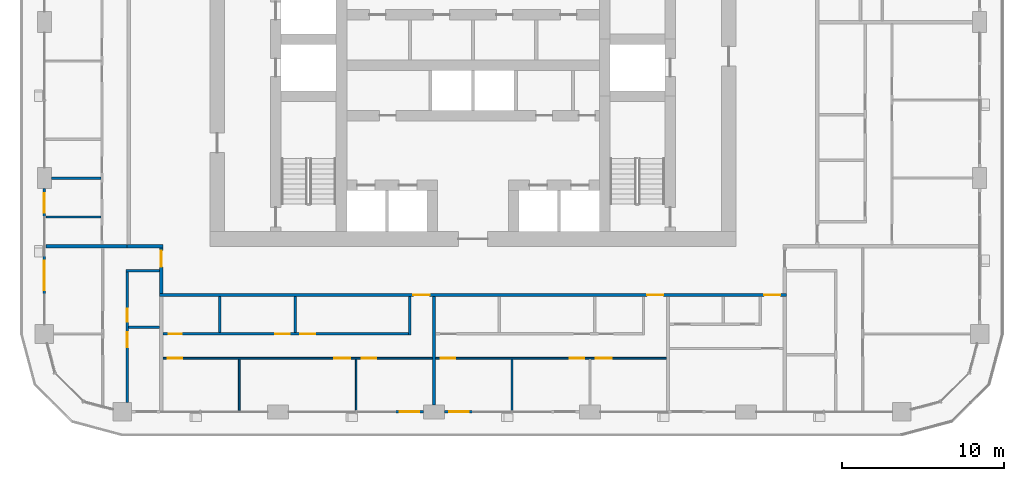
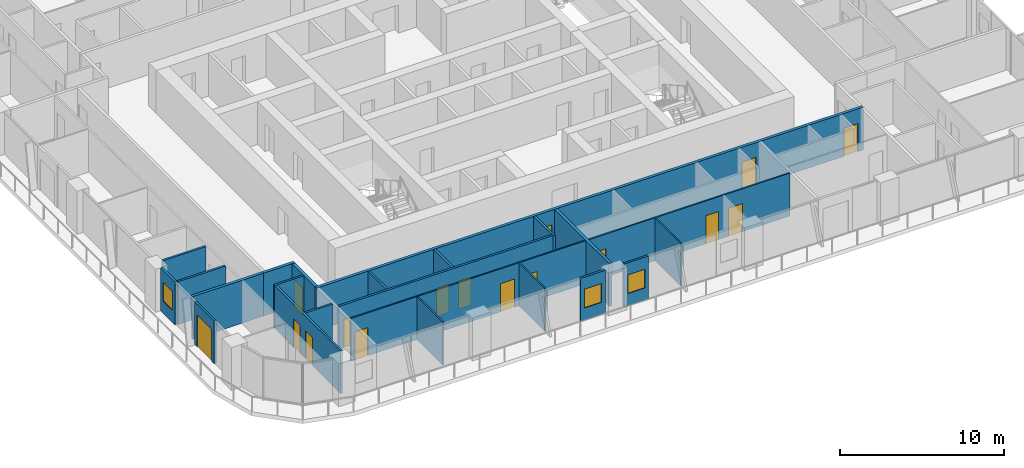
# One storey, part 9 of 21: 23 walls, 16 doors, 3 windows, 19 openings.
"""IFC4 building model written with IfcOpenShell, lengths in metres."""

from ifc_helpers import new_model, si_unit, direction, frame, frame_2d, origin, place, context, subcontext, project, spatial, rectangle, extrude, material, layer, layer_set, type_object, element, fill, save


model = new_model("IFC4")

# Units and contexts
model_context = context("Model", 3, precision=1e-05, world=origin(), true_north=direction((0.0, 1.0)))
body_context = subcontext(model_context, "Body", "Model", "MODEL_VIEW")
ifc_project = project(units=[si_unit("LENGTHUNIT", "METRE"), si_unit("AREAUNIT", "SQUARE_METRE"), si_unit("VOLUMEUNIT", "CUBIC_METRE"), si_unit("PLANEANGLEUNIT", "RADIAN"), si_unit("MASSUNIT", "GRAM", prefix="KILO")], contexts=[model_context])

# Site, building, storey
site_placement = place(None, origin())
site = spatial("IfcSite", under=ifc_project, at=site_placement, CompositionType="ELEMENT")
building_placement = place(site_placement, origin())
building = spatial("IfcBuilding", under=site, at=building_placement, Name="Madar Terraces", CompositionType="ELEMENT")
storey_placement = place(building_placement, frame((0.0, 0.0, 92.699951171875)))
storey = spatial("IfcBuildingStorey", under=building, at=storey_placement, Name="L23", CompositionType="ELEMENT", Elevation=92.699951171875)

# Wall, opening, window
ifc_material_1 = material(Name="Aluminium composite panel, black, over insulated backing", Category="aluminium")
ifc_layer_1 = layer(ifc_material_1, 0.14990234375)
ifc_layer_set_1 = layer_set([ifc_layer_1], Name="Facade bay panel 150")
wall_type_1 = type_object("IfcWallType", Name="Facade bay panel 150", PredefinedType="SOLIDWALL", material=ifc_layer_set_1)
wall_1_placement = place(storey_placement, frame((26.39990234375, 4.800048828125, 0.0), z_axis=(0.0, 0.0, 1.0), x_axis=(1.0, 0.0, 0.0)))
wall_1 = element("IfcWall", 1, at=wall_1_placement, inside=storey, type_object=wall_type_1, Name="Facade bay panel", PredefinedType="SOLIDWALL", context=body_context, shape_type="SweptSolid", body=[
    extrude(rectangle(XDim=1.75, YDim=0.14990234375, at=frame_2d((0.875, 0.0))), origin(), (0.0, 0.0, 1.0), 3.199951171875),
])
opening_1_placement = place(wall_1_placement, frame((0.27490234375, 0.0, 0.89990234375)))
opening_1 = element("IfcOpeningElement", 2, at=opening_1_placement, cuts=wall_1, Name="Opening W1", PredefinedType="OPENING", context=body_context, shape_type="SweptSolid", body=[
    extrude(rectangle(XDim=1.199951171875, YDim=1.39990234375, at=frame_2d((0.60009765625, 0.699951171875))), frame((0.0, 0.0849609375, 0.0), z_axis=(0.0, -1.0, 0.0), x_axis=(1.0, 0.0, 0.0)), (0.0, 0.0, 1.0), 0.169921875),
])
ifc_material_2 = material(Name="Glass, clear, with black aluminium frame", Category="aluminium")
window_type = type_object("IfcWindowType", Name="Vent window 1200 x 1400", PartitioningType="SINGLE_PANEL", PredefinedType="WINDOW", material=ifc_material_2)
window_1_placement = place(opening_1_placement, origin())
window_1 = element("IfcWindow", 3, at=window_1_placement, inside=storey, type_object=window_type, Name="Operable vent window", OverallHeight=1.39990234375, OverallWidth=1.199951171875, PartitioningType="SINGLE_PANEL", PredefinedType="WINDOW", context=body_context, shape_type="SweptSolid", body=[
    extrude(rectangle(XDim=1.199951171875, YDim=1.39990234375, at=frame_2d((0.60009765625, 0.699951171875))), frame((0.0, 0.030029296875, 0.0), z_axis=(0.0, -1.0, 0.0), x_axis=(1.0, 0.0, 0.0)), (0.0, 0.0, 1.0), 0.06005859375),
])
fill(opening_1, window_1)

wall_2_placement = place(storey_placement, frame((29.449951171875, 4.800048828125, 0.0), z_axis=(0.0, 0.0, 1.0), x_axis=(1.0, 0.0, 0.0)))
wall_2 = element("IfcWall", 4, at=wall_2_placement, inside=storey, type_object=wall_type_1, Name="Facade bay panel", PredefinedType="SOLIDWALL", context=body_context, shape_type="SweptSolid", body=[
    extrude(rectangle(XDim=1.75, YDim=0.14990234375, at=frame_2d((0.875, 0.0))), origin(), (0.0, 0.0, 1.0), 3.199951171875),
])
opening_2_placement = place(wall_2_placement, frame((0.27490234375, 0.0, 0.89990234375)))
opening_2 = element("IfcOpeningElement", 5, at=opening_2_placement, cuts=wall_2, Name="Opening W1", PredefinedType="OPENING", context=body_context, shape_type="SweptSolid", body=[
    extrude(rectangle(XDim=1.199951171875, YDim=1.39990234375, at=frame_2d((0.60009765625, 0.699951171875))), frame((0.0, 0.0849609375, 0.0), z_axis=(0.0, -1.0, 0.0), x_axis=(1.0, 0.0, 0.0)), (0.0, 0.0, 1.0), 0.169921875),
])
window_2_placement = place(opening_2_placement, origin())
window_2 = element("IfcWindow", 6, at=window_2_placement, inside=storey, type_object=window_type, Name="Operable vent window", OverallHeight=1.39990234375, OverallWidth=1.199951171875, PartitioningType="SINGLE_PANEL", PredefinedType="WINDOW", context=body_context, shape_type="SweptSolid", body=[
    extrude(rectangle(XDim=1.199951171875, YDim=1.39990234375, at=frame_2d((0.60009765625, 0.699951171875))), frame((0.0, 0.030029296875, 0.0), z_axis=(0.0, -1.0, 0.0), x_axis=(1.0, 0.0, 0.0)), (0.0, 0.0, 1.0), 0.06005859375),
])
fill(opening_2, window_2)

wall_3_placement = place(storey_placement, frame((4.800048828125, 18.550048828125, 0.0), z_axis=(0.0, 0.0, 1.0), x_axis=(0.0, -1.0, 0.0)))
wall_3 = element("IfcWall", 7, at=wall_3_placement, inside=storey, type_object=wall_type_1, Name="Facade bay panel", PredefinedType="SOLIDWALL", context=body_context, shape_type="SweptSolid", body=[
    extrude(rectangle(XDim=1.75, YDim=0.14990234375, at=frame_2d((0.875, 0.0))), origin(), (0.0, 0.0, 1.0), 3.199951171875),
])
opening_3_placement = place(wall_3_placement, frame((0.27490234375, 0.0, 0.89990234375)))
opening_3 = element("IfcOpeningElement", 8, at=opening_3_placement, cuts=wall_3, Name="Opening W1", PredefinedType="OPENING", context=body_context, shape_type="SweptSolid", body=[
    extrude(rectangle(XDim=1.199951171875, YDim=1.39990234375, at=frame_2d((0.60009765625, 0.699951171875))), frame((0.0, 0.0849609375, 0.0), z_axis=(0.0, -1.0, 0.0), x_axis=(1.0, 0.0, 0.0)), (0.0, 0.0, 1.0), 0.169921875),
])
window_3_placement = place(opening_3_placement, origin())
window_3 = element("IfcWindow", 9, at=window_3_placement, inside=storey, type_object=window_type, Name="Operable vent window", OverallHeight=1.39990234375, OverallWidth=1.199951171875, PartitioningType="SINGLE_PANEL", PredefinedType="WINDOW", context=body_context, shape_type="SweptSolid", body=[
    extrude(rectangle(XDim=1.199951171875, YDim=1.39990234375, at=frame_2d((0.60009765625, 0.699951171875))), frame((0.0, 0.030029296875, 0.0), z_axis=(0.0, -1.0, 0.0), x_axis=(1.0, 0.0, 0.0)), (0.0, 0.0, 1.0), 0.06005859375),
])
fill(opening_3, window_3)

# Wall, opening, door
wall_4_placement = place(storey_placement, frame((4.800048828125, 14.39990234375, 0.0), z_axis=(0.0, 0.0, 1.0), x_axis=(0.0, -1.0, 0.0)))
wall_4 = element("IfcWall", 10, at=wall_4_placement, inside=storey, type_object=wall_type_1, Name="Facade bay panel", PredefinedType="SOLIDWALL", context=body_context, shape_type="SweptSolid", body=[
    extrude(rectangle(XDim=2.39990234375, YDim=0.14990234375, at=frame_2d((1.199951171875, 0.0))), origin(), (0.0, 0.0, 1.0), 3.199951171875),
])
opening_4_placement = place(wall_4_placement, frame((0.300048828125, 0.0, 0.0)))
opening_4 = element("IfcOpeningElement", 11, at=opening_4_placement, cuts=wall_4, Name="Opening ED1", PredefinedType="OPENING", context=body_context, shape_type="SweptSolid", body=[
    extrude(rectangle(XDim=1.800048828125, YDim=2.39990234375, at=frame_2d((0.89990234375, 1.199951171875))), frame((0.0, 0.0849609375, 0.0), z_axis=(0.0, -1.0, 0.0), x_axis=(1.0, 0.0, 0.0)), (0.0, 0.0, 1.0), 0.169921875),
])
ifc_material_3 = material(Name="Glass, clear, with black aluminium frame", Category="aluminium")
door_type_1 = type_object("IfcDoorType", Name="Balcony and terrace sliding door 1800 x 2400", OperationType="SLIDING_TO_LEFT", PredefinedType="DOOR", material=ifc_material_3)
door_1_placement = place(opening_4_placement, origin())
door_1 = element("IfcDoor", 12, at=door_1_placement, inside=storey, type_object=door_type_1, Name="Balcony door", OperationType="SLIDING_TO_RIGHT", OverallHeight=2.39990234375, OverallWidth=1.800048828125, PredefinedType="DOOR", context=body_context, shape_type="SweptSolid", body=[
    extrude(rectangle(XDim=1.800048828125, YDim=2.39990234375, at=frame_2d((0.89990234375, 1.199951171875))), frame((0.0, 0.02490234375, 0.0), z_axis=(0.0, -1.0, 0.0), x_axis=(1.0, 0.0, 0.0)), (0.0, 0.0, 1.0), 0.050048828125),
])
fill(opening_4, door_1)

# Walls
ifc_material_4 = material(Name="Gypsum board on steel studs", Category="steel")
ifc_layer_2 = layer(ifc_material_4, 0.10009765625)
ifc_layer_set_2 = layer_set([ifc_layer_2], Name="Flat partition 100")
wall_type_2 = type_object("IfcWallType", Name="Flat partition 100", PredefinedType="PARTITIONING", material=ifc_layer_set_2)
for number, where, z_axis, x_axis, name in (
    (13, (24.0, 8.050048828125, 0.0), (0.0, 0.0, 1.0), (0.0, -1.0, 0.0), "Flat partition 100"),
    (14, (16.800048828125, 8.050048828125, 0.0), (0.0, 0.0, 1.0), (0.0, -1.0, 0.0), "Flat partition 100"),
):
    element("IfcWall", number, at=place(storey_placement, frame(where, z_axis=z_axis, x_axis=x_axis)), inside=storey, type_object=wall_type_2, Name=name, PredefinedType="PARTITIONING", context=body_context, shape_type="SweptSolid", body=[
        extrude(rectangle(XDim=3.150146484375, YDim=0.10009765625, at=frame_2d((1.5751953125, 0.0))), origin(), (0.0, 0.0, 1.0), 3.199951171875),
    ])

# Wall, openings, doors
wall_5_placement = place(storey_placement, frame((28.699951171875, 8.10009765625, 0.0), z_axis=(0.0, 0.0, 1.0), x_axis=(-1.0, 0.0, 0.0)))
wall_5 = element("IfcWall", 15, at=wall_5_placement, inside=storey, type_object=wall_type_2, Name="Flat partition 100", PredefinedType="PARTITIONING", context=body_context, shape_type="SweptSolid", body=[
    extrude(rectangle(XDim=16.599853515625, YDim=0.10009765625, at=frame_2d((8.2998046875, 0.0))), origin(), (0.0, 0.0, 1.0), 3.199951171875),
])
opening_5_placement = place(wall_5_placement, frame((3.449951171875, 0.0, 0.0)))
opening_5 = element("IfcOpeningElement", 16, at=opening_5_placement, cuts=wall_5, Name="Opening D2", PredefinedType="OPENING", context=body_context, shape_type="SweptSolid", body=[
    extrude(rectangle(XDim=0.89990234375, YDim=2.10009765625, at=frame_2d((0.449951171875, 1.050048828125))), frame((0.0, 0.06005859375, 0.0), z_axis=(0.0, -1.0, 0.0), x_axis=(1.0, 0.0, 0.0)), (0.0, 0.0, 1.0), 0.1201171875),
])
opening_6_placement = place(wall_5_placement, frame((5.050048828125, 0.0, 0.0)))
opening_6 = element("IfcOpeningElement", 17, at=opening_6_placement, cuts=wall_5, Name="Opening D3", PredefinedType="OPENING", context=body_context, shape_type="SweptSolid", body=[
    extrude(rectangle(XDim=1.0, YDim=2.10009765625, at=frame_2d((0.5, 1.050048828125))), frame((0.0, 0.06005859375, 0.0), z_axis=(0.0, -1.0, 0.0), x_axis=(1.0, 0.0, 0.0)), (0.0, 0.0, 1.0), 0.1201171875),
])
opening_7_placement = place(wall_5_placement, frame((15.39990234375, 0.0, 0.0)))
opening_7 = element("IfcOpeningElement", 18, at=opening_7_placement, cuts=wall_5, Name="Opening D2", PredefinedType="OPENING", context=body_context, shape_type="SweptSolid", body=[
    extrude(rectangle(XDim=0.89990234375, YDim=2.10009765625, at=frame_2d((0.449951171875, 1.050048828125))), frame((0.0, 0.06005859375, 0.0), z_axis=(0.0, -1.0, 0.0), x_axis=(1.0, 0.0, 0.0)), (0.0, 0.0, 1.0), 0.1201171875),
])
ifc_material_5 = material(Name="Timber door leaf", Category="wood")
door_type_2 = type_object("IfcDoorType", Name="Flat living room door 1000", OperationType="NOTDEFINED", PredefinedType="DOOR", material=ifc_material_5)
door_2_placement = place(opening_6_placement, origin())
door_2 = element("IfcDoor", 19, at=door_2_placement, inside=storey, type_object=door_type_2, Name="Flat living room door 1000", OperationType="SINGLE_SWING_LEFT", OverallHeight=2.10009765625, OverallWidth=1.0, PredefinedType="DOOR", context=body_context, shape_type="SweptSolid", body=[
    extrude(rectangle(XDim=1.0, YDim=2.10009765625, at=frame_2d((0.5, 1.050048828125))), frame((0.0, 0.02490234375, 0.0), z_axis=(0.0, -1.0, 0.0), x_axis=(1.0, 0.0, 0.0)), (0.0, 0.0, 1.0), 0.050048828125),
])
fill(opening_6, door_2)
ifc_material_6 = material(Name="Timber door leaf", Category="wood")
door_type_3 = type_object("IfcDoorType", Name="Flat room door 900", OperationType="NOTDEFINED", PredefinedType="DOOR", material=ifc_material_6)
door_3_placement = place(opening_5_placement, origin())
door_3 = element("IfcDoor", 20, at=door_3_placement, inside=storey, type_object=door_type_3, Name="Flat room door 900", OperationType="SINGLE_SWING_RIGHT", OverallHeight=2.10009765625, OverallWidth=0.89990234375, PredefinedType="DOOR", context=body_context, shape_type="SweptSolid", body=[
    extrude(rectangle(XDim=0.89990234375, YDim=2.10009765625, at=frame_2d((0.449951171875, 1.050048828125))), frame((0.0, 0.02490234375, 0.0), z_axis=(0.0, -1.0, 0.0), x_axis=(1.0, 0.0, 0.0)), (0.0, 0.0, 1.0), 0.050048828125),
])
fill(opening_5, door_3)
door_4_placement = place(opening_7_placement, origin())
door_4 = element("IfcDoor", 21, at=door_4_placement, inside=storey, type_object=door_type_3, Name="Flat room door 900", OperationType="SINGLE_SWING_RIGHT", OverallHeight=2.10009765625, OverallWidth=0.89990234375, PredefinedType="DOOR", context=body_context, shape_type="SweptSolid", body=[
    extrude(rectangle(XDim=0.89990234375, YDim=2.10009765625, at=frame_2d((0.449951171875, 1.050048828125))), frame((0.0, 0.02490234375, 0.0), z_axis=(0.0, -1.0, 0.0), x_axis=(1.0, 0.0, 0.0)), (0.0, 0.0, 1.0), 0.050048828125),
])
fill(opening_7, door_4)

# Wall
wall_6_placement = place(storey_placement, frame((33.60009765625, 8.050048828125, 0.0), z_axis=(0.0, 0.0, 1.0), x_axis=(0.0, -1.0, 0.0)))
element("IfcWall", 22, at=wall_6_placement, inside=storey, type_object=wall_type_2, Name="Flat partition 100", PredefinedType="PARTITIONING", context=body_context, shape_type="SweptSolid", body=[
    extrude(rectangle(XDim=3.150146484375, YDim=0.10009765625, at=frame_2d((1.5751953125, 0.0))), origin(), (0.0, 0.0, 1.0), 3.199951171875),
])

# Wall, openings, doors
wall_7_placement = place(storey_placement, frame((43.10009765625, 8.10009765625, 0.0), z_axis=(0.0, 0.0, 1.0), x_axis=(-1.0, 0.0, 0.0)))
wall_7 = element("IfcWall", 23, at=wall_7_placement, inside=storey, type_object=wall_type_2, Name="Flat partition 100", PredefinedType="PARTITIONING", context=body_context, shape_type="SweptSolid", body=[
    extrude(rectangle(XDim=14.2001953125, YDim=0.10009765625, at=frame_2d((7.10009765625, 0.0))), origin(), (0.0, 0.0, 1.0), 3.199951171875),
])
opening_8_placement = place(wall_7_placement, frame((3.35009765625, 0.0, 0.0)))
opening_8 = element("IfcOpeningElement", 24, at=opening_8_placement, cuts=wall_7, Name="Opening D3", PredefinedType="OPENING", context=body_context, shape_type="SweptSolid", body=[
    extrude(rectangle(XDim=1.0, YDim=2.10009765625, at=frame_2d((0.5, 1.050048828125))), frame((0.0, 0.06005859375, 0.0), z_axis=(0.0, -1.0, 0.0), x_axis=(1.0, 0.0, 0.0)), (0.0, 0.0, 1.0), 0.1201171875),
])
opening_9_placement = place(wall_7_placement, frame((5.050048828125, 0.0, 0.0)))
opening_9 = element("IfcOpeningElement", 25, at=opening_9_placement, cuts=wall_7, Name="Opening D2", PredefinedType="OPENING", context=body_context, shape_type="SweptSolid", body=[
    extrude(rectangle(XDim=0.89990234375, YDim=2.10009765625, at=frame_2d((0.449951171875, 1.050048828125))), frame((0.0, 0.06005859375, 0.0), z_axis=(0.0, -1.0, 0.0), x_axis=(1.0, 0.0, 0.0)), (0.0, 0.0, 1.0), 0.1201171875),
])
opening_10_placement = place(wall_7_placement, frame((13.0, 0.0, 0.0)))
opening_10 = element("IfcOpeningElement", 26, at=opening_10_placement, cuts=wall_7, Name="Opening D2", PredefinedType="OPENING", context=body_context, shape_type="SweptSolid", body=[
    extrude(rectangle(XDim=0.89990234375, YDim=2.10009765625, at=frame_2d((0.449951171875, 1.050048828125))), frame((0.0, 0.06005859375, 0.0), z_axis=(0.0, -1.0, 0.0), x_axis=(1.0, 0.0, 0.0)), (0.0, 0.0, 1.0), 0.1201171875),
])
door_5_placement = place(opening_8_placement, origin())
door_5 = element("IfcDoor", 27, at=door_5_placement, inside=storey, type_object=door_type_2, Name="Flat living room door 1000", OperationType="SINGLE_SWING_RIGHT", OverallHeight=2.10009765625, OverallWidth=1.0, PredefinedType="DOOR", context=body_context, shape_type="SweptSolid", body=[
    extrude(rectangle(XDim=1.0, YDim=2.10009765625, at=frame_2d((0.5, 1.050048828125))), frame((0.0, 0.02490234375, 0.0), z_axis=(0.0, -1.0, 0.0), x_axis=(1.0, 0.0, 0.0)), (0.0, 0.0, 1.0), 0.050048828125),
])
fill(opening_8, door_5)
door_6_placement = place(opening_9_placement, origin())
door_6 = element("IfcDoor", 28, at=door_6_placement, inside=storey, type_object=door_type_3, Name="Flat room door 900", OperationType="SINGLE_SWING_LEFT", OverallHeight=2.10009765625, OverallWidth=0.89990234375, PredefinedType="DOOR", context=body_context, shape_type="SweptSolid", body=[
    extrude(rectangle(XDim=0.89990234375, YDim=2.10009765625, at=frame_2d((0.449951171875, 1.050048828125))), frame((0.0, 0.02490234375, 0.0), z_axis=(0.0, -1.0, 0.0), x_axis=(1.0, 0.0, 0.0)), (0.0, 0.0, 1.0), 0.050048828125),
])
fill(opening_9, door_6)
door_7_placement = place(opening_10_placement, origin())
door_7 = element("IfcDoor", 29, at=door_7_placement, inside=storey, type_object=door_type_3, Name="Flat room door 900", OperationType="SINGLE_SWING_RIGHT", OverallHeight=2.10009765625, OverallWidth=0.89990234375, PredefinedType="DOOR", context=body_context, shape_type="SweptSolid", body=[
    extrude(rectangle(XDim=0.89990234375, YDim=2.10009765625, at=frame_2d((0.449951171875, 1.050048828125))), frame((0.0, 0.02490234375, 0.0), z_axis=(0.0, -1.0, 0.0), x_axis=(1.0, 0.0, 0.0)), (0.0, 0.0, 1.0), 0.050048828125),
])
fill(opening_10, door_7)

ifc_material_7 = material(Name="Lightweight blockwork", Category="masonry")
ifc_layer_3 = layer(ifc_material_7, 0.199951171875)
ifc_layer_set_3 = layer_set([ifc_layer_3], Name="Flat party and entrance wall 200")
wall_type_3 = type_object("IfcWallType", Name="Flat party and entrance wall 200", PredefinedType="PARTITIONING", material=ifc_layer_set_3)
wall_8_placement = place(storey_placement, frame((50.5, 12.0, 0.0), z_axis=(0.0, 0.0, 1.0), x_axis=(-1.0, 0.0, 0.0)))
wall_8 = element("IfcWall", 30, at=wall_8_placement, inside=storey, type_object=wall_type_3, Name="Flat party and entrance wall 200", PredefinedType="PARTITIONING", context=body_context, shape_type="SweptSolid", body=[
    extrude(rectangle(XDim=38.60009765625, YDim=0.199951171875, at=frame_2d((19.300048828125, 0.0))), origin(), (0.0, 0.0, 1.0), 3.199951171875),
])
opening_11_placement = place(wall_8_placement, frame((21.97509765625, 0.0, 0.0)))
opening_11 = element("IfcOpeningElement", 31, at=opening_11_placement, cuts=wall_8, Name="Opening D1", PredefinedType="OPENING", context=body_context, shape_type="SweptSolid", body=[
    extrude(rectangle(XDim=1.0, YDim=2.10009765625, at=frame_2d((0.5, 1.050048828125))), frame((0.0, 0.10986328125, 0.0), z_axis=(0.0, -1.0, 0.0), x_axis=(1.0, 0.0, 0.0)), (0.0, 0.0, 1.0), 0.219970703125),
])
opening_12_placement = place(wall_8_placement, frame((7.574951171875, 0.0, 0.0)))
opening_12 = element("IfcOpeningElement", 32, at=opening_12_placement, cuts=wall_8, Name="Opening D1", PredefinedType="OPENING", context=body_context, shape_type="SweptSolid", body=[
    extrude(rectangle(XDim=1.0, YDim=2.10009765625, at=frame_2d((0.5, 1.050048828125))), frame((0.0, 0.10986328125, 0.0), z_axis=(0.0, -1.0, 0.0), x_axis=(1.0, 0.0, 0.0)), (0.0, 0.0, 1.0), 0.219970703125),
])
opening_13_placement = place(wall_8_placement, frame((0.375, 0.0, 0.0)))
opening_13 = element("IfcOpeningElement", 33, at=opening_13_placement, cuts=wall_8, Name="Opening D1", PredefinedType="OPENING", context=body_context, shape_type="SweptSolid", body=[
    extrude(rectangle(XDim=1.0, YDim=2.10009765625, at=frame_2d((0.5, 1.050048828125))), frame((0.0, 0.10986328125, 0.0), z_axis=(0.0, -1.0, 0.0), x_axis=(1.0, 0.0, 0.0)), (0.0, 0.0, 1.0), 0.219970703125),
])
ifc_material_8 = material(Name="Timber fire door leaf", Category="wood")
door_type_4 = type_object("IfcDoorType", Name="Flat entrance door 1000 FD30S", OperationType="NOTDEFINED", PredefinedType="DOOR", material=ifc_material_8)
door_8_placement = place(opening_11_placement, origin())
door_8 = element("IfcDoor", 34, at=door_8_placement, inside=storey, type_object=door_type_4, Name="Flat entrance door 1000 FD30S", OperationType="SINGLE_SWING_LEFT", OverallHeight=2.10009765625, OverallWidth=1.0, PredefinedType="DOOR", context=body_context, shape_type="SweptSolid", body=[
    extrude(rectangle(XDim=1.0, YDim=2.10009765625, at=frame_2d((0.5, 1.050048828125))), frame((0.0, 0.02490234375, 0.0), z_axis=(0.0, -1.0, 0.0), x_axis=(1.0, 0.0, 0.0)), (0.0, 0.0, 1.0), 0.050048828125),
])
fill(opening_11, door_8)
door_9_placement = place(opening_12_placement, origin())
door_9 = element("IfcDoor", 35, at=door_9_placement, inside=storey, type_object=door_type_4, Name="Flat entrance door 1000 FD30S", OperationType="SINGLE_SWING_LEFT", OverallHeight=2.10009765625, OverallWidth=1.0, PredefinedType="DOOR", context=body_context, shape_type="SweptSolid", body=[
    extrude(rectangle(XDim=1.0, YDim=2.10009765625, at=frame_2d((0.5, 1.050048828125))), frame((0.0, 0.02490234375, 0.0), z_axis=(0.0, -1.0, 0.0), x_axis=(1.0, 0.0, 0.0)), (0.0, 0.0, 1.0), 0.050048828125),
])
fill(opening_12, door_9)
door_10_placement = place(opening_13_placement, origin())
door_10 = element("IfcDoor", 36, at=door_10_placement, inside=storey, type_object=door_type_4, Name="Flat entrance door 1000 FD30S", OperationType="SINGLE_SWING_LEFT", OverallHeight=2.10009765625, OverallWidth=1.0, PredefinedType="DOOR", context=body_context, shape_type="SweptSolid", body=[
    extrude(rectangle(XDim=1.0, YDim=2.10009765625, at=frame_2d((0.5, 1.050048828125))), frame((0.0, 0.02490234375, 0.0), z_axis=(0.0, -1.0, 0.0), x_axis=(1.0, 0.0, 0.0)), (0.0, 0.0, 1.0), 0.050048828125),
])
fill(opening_13, door_10)

# Wall
wall_9_placement = place(storey_placement, frame((9.89990234375, 15.0, 0.0), z_axis=(0.0, 0.0, 1.0), x_axis=(1.0, 0.0, 0.0)))
element("IfcWall", 37, at=wall_9_placement, inside=storey, type_object=wall_type_3, Name="Flat party and entrance wall 200", PredefinedType="PARTITIONING", context=body_context, shape_type="SweptSolid", body=[
    extrude(rectangle(XDim=2.2001953125, YDim=0.199951171875, at=frame_2d((1.10009765625, 0.0))), origin(), (0.0, 0.0, 1.0), 3.199951171875),
])

# Wall, opening, door
wall_10_placement = place(storey_placement, frame((12.0, 12.10009765625, 0.0), z_axis=(0.0, 0.0, 1.0), x_axis=(0.0, 1.0, 0.0)))
wall_10 = element("IfcWall", 38, at=wall_10_placement, inside=storey, type_object=wall_type_3, Name="Flat party and entrance wall 200", PredefinedType="PARTITIONING", context=body_context, shape_type="SweptSolid", body=[
    extrude(rectangle(XDim=2.7998046875, YDim=0.199951171875, at=frame_2d((1.39990234375, 0.0))), origin(), (0.0, 0.0, 1.0), 3.199951171875),
])
opening_14_placement = place(wall_10_placement, frame((1.625, 0.0, 0.0)))
opening_14 = element("IfcOpeningElement", 39, at=opening_14_placement, cuts=wall_10, Name="Opening D1", PredefinedType="OPENING", context=body_context, shape_type="SweptSolid", body=[
    extrude(rectangle(XDim=1.0, YDim=2.10009765625, at=frame_2d((0.5, 1.050048828125))), frame((0.0, 0.10986328125, 0.0), z_axis=(0.0, -1.0, 0.0), x_axis=(1.0, 0.0, 0.0)), (0.0, 0.0, 1.0), 0.219970703125),
])
door_11_placement = place(opening_14_placement, origin())
door_11 = element("IfcDoor", 40, at=door_11_placement, inside=storey, type_object=door_type_4, Name="Flat entrance door 1000 FD30S", OperationType="SINGLE_SWING_RIGHT", OverallHeight=2.10009765625, OverallWidth=1.0, PredefinedType="DOOR", context=body_context, shape_type="SweptSolid", body=[
    extrude(rectangle(XDim=1.0, YDim=2.10009765625, at=frame_2d((0.5, 1.050048828125))), frame((0.0, 0.02490234375, 0.0), z_axis=(0.0, -1.0, 0.0), x_axis=(1.0, 0.0, 0.0)), (0.0, 0.0, 1.0), 0.050048828125),
])
fill(opening_14, door_11)

# Walls
wall_11_placement = place(storey_placement, frame((28.800048828125, 11.89990234375, 0.0), z_axis=(0.0, 0.0, 1.0), x_axis=(0.0, -1.0, 0.0)))
element("IfcWall", 41, at=wall_11_placement, inside=storey, type_object=wall_type_3, Name="Flat party and entrance wall 200", PredefinedType="PARTITIONING", context=body_context, shape_type="SweptSolid", body=[
    extrude(rectangle(XDim=6.6748046875, YDim=0.199951171875, at=frame_2d((3.33740234375, 0.0))), origin(), (0.0, 0.0, 1.0), 3.199951171875),
])
wall_12_placement = place(storey_placement, frame((4.89990234375, 15.0, 0.0), z_axis=(0.0, 0.0, 1.0), x_axis=(1.0, 0.0, 0.0)))
element("IfcWall", 42, at=wall_12_placement, inside=storey, type_object=wall_type_3, Name="Flat party and entrance wall 200", PredefinedType="PARTITIONING", context=body_context, shape_type="SweptSolid", body=[
    extrude(rectangle(XDim=5.0, YDim=0.199951171875, at=frame_2d((2.5, 0.0))), origin(), (0.0, 0.0, 1.0), 3.199951171875),
])
ifc_material_9 = material(Name="Lightweight blockwork", Category="masonry")
ifc_layer_4 = layer(ifc_material_9, 0.14990234375)
ifc_layer_set_4 = layer_set([ifc_layer_4], Name="Flat wet-room partition 150")
wall_type_4 = type_object("IfcWallType", Name="Flat wet-room partition 150", PredefinedType="PARTITIONING", material=ifc_layer_set_4)
for number, where, z_axis, x_axis, name in (
    (43, (20.244140625, 11.89990234375, 0.0), (0.0, 0.0, 1.0), (0.0, -1.0, 0.0), "Flat wet-room partition 150"),
    (44, (15.59033203125, 11.89990234375, 0.0), (0.0, 0.0, 1.0), (0.0, -1.0, 0.0), "Flat wet-room partition 150"),
):
    element("IfcWall", number, at=place(storey_placement, frame(where, z_axis=z_axis, x_axis=x_axis)), inside=storey, type_object=wall_type_4, Name=name, PredefinedType="PARTITIONING", context=body_context, shape_type="SweptSolid", body=[
        extrude(rectangle(XDim=2.224853515625, YDim=0.14990234375, at=frame_2d((1.1123046875, 0.0))), origin(), (0.0, 0.0, 1.0), 3.199951171875),
    ])
wall_13_placement = place(storey_placement, frame((27.300048828125, 11.89990234375, 0.0), z_axis=(0.0, 0.0, 1.0), x_axis=(0.0, -1.0, 0.0)))
element("IfcWall", 45, at=wall_13_placement, inside=storey, type_object=wall_type_4, Name="Flat wet-room partition 150", PredefinedType="PARTITIONING", context=body_context, shape_type="SweptSolid", body=[
    extrude(rectangle(XDim=2.375, YDim=0.14990234375, at=frame_2d((1.1875, 0.0))), origin(), (0.0, 0.0, 1.0), 3.199951171875),
])

# Wall, openings, doors
wall_14_placement = place(storey_placement, frame((12.10009765625, 9.60009765625, 0.0), z_axis=(0.0, 0.0, 1.0), x_axis=(1.0, 0.0, 0.0)))
wall_14 = element("IfcWall", 46, at=wall_14_placement, inside=storey, type_object=wall_type_4, Name="Flat wet-room partition 150", PredefinedType="PARTITIONING", context=body_context, shape_type="SweptSolid", body=[
    extrude(rectangle(XDim=15.125, YDim=0.14990234375, at=frame_2d((7.5625, 0.0))), origin(), (0.0, 0.0, 1.0), 3.199951171875),
])
opening_15_placement = place(wall_14_placement, frame((8.46923828125, 0.0, 0.0)))
opening_15 = element("IfcOpeningElement", 47, at=opening_15_placement, cuts=wall_14, Name="Opening D2", PredefinedType="OPENING", context=body_context, shape_type="SweptSolid", body=[
    extrude(rectangle(XDim=0.89990234375, YDim=2.10009765625, at=frame_2d((0.449951171875, 1.050048828125))), frame((0.0, 0.0849609375, 0.0), z_axis=(0.0, -1.0, 0.0), x_axis=(1.0, 0.0, 0.0)), (0.0, 0.0, 1.0), 0.169921875),
])
opening_16_placement = place(wall_14_placement, frame((6.919189453125, 0.0, 0.0)))
opening_16 = element("IfcOpeningElement", 48, at=opening_16_placement, cuts=wall_14, Name="Opening D5", PredefinedType="OPENING", context=body_context, shape_type="SweptSolid", body=[
    extrude(rectangle(XDim=0.89990234375, YDim=2.10009765625, at=frame_2d((0.449951171875, 1.050048828125))), frame((0.0, 0.0849609375, 0.0), z_axis=(0.0, -1.0, 0.0), x_axis=(1.0, 0.0, 0.0)), (0.0, 0.0, 1.0), 0.169921875),
])
opening_17_placement = place(wall_14_placement, frame((0.35009765625, 0.0, 0.0)))
opening_17 = element("IfcOpeningElement", 49, at=opening_17_placement, cuts=wall_14, Name="Opening D4", PredefinedType="OPENING", context=body_context, shape_type="SweptSolid", body=[
    extrude(rectangle(XDim=0.800048828125, YDim=2.10009765625, at=frame_2d((0.39990234375, 1.050048828125))), frame((0.0, 0.0849609375, 0.0), z_axis=(0.0, -1.0, 0.0), x_axis=(1.0, 0.0, 0.0)), (0.0, 0.0, 1.0), 0.169921875),
])
ifc_material_10 = material(Name="Timber door leaf", Category="wood")
door_type_5 = type_object("IfcDoorType", Name="Flat accessible bathroom door 900", OperationType="NOTDEFINED", PredefinedType="DOOR", material=ifc_material_10)
door_12_placement = place(opening_16_placement, origin())
door_12 = element("IfcDoor", 50, at=door_12_placement, inside=storey, type_object=door_type_5, Name="Flat accessible bathroom door 900", OperationType="SINGLE_SWING_RIGHT", OverallHeight=2.10009765625, OverallWidth=0.89990234375, PredefinedType="DOOR", context=body_context, shape_type="SweptSolid", body=[
    extrude(rectangle(XDim=0.89990234375, YDim=2.10009765625, at=frame_2d((0.449951171875, 1.050048828125))), frame((0.0, 0.02490234375, 0.0), z_axis=(0.0, -1.0, 0.0), x_axis=(1.0, 0.0, 0.0)), (0.0, 0.0, 1.0), 0.050048828125),
])
fill(opening_16, door_12)
ifc_material_11 = material(Name="Timber door leaf", Category="wood")
door_type_6 = type_object("IfcDoorType", Name="Flat bathroom door 800", OperationType="NOTDEFINED", PredefinedType="DOOR", material=ifc_material_11)
door_13_placement = place(opening_17_placement, origin())
door_13 = element("IfcDoor", 51, at=door_13_placement, inside=storey, type_object=door_type_6, Name="Flat bathroom door 800", OperationType="SINGLE_SWING_LEFT", OverallHeight=2.10009765625, OverallWidth=0.800048828125, PredefinedType="DOOR", context=body_context, shape_type="SweptSolid", body=[
    extrude(rectangle(XDim=0.800048828125, YDim=2.10009765625, at=frame_2d((0.39990234375, 1.050048828125))), frame((0.0, 0.02490234375, 0.0), z_axis=(0.0, -1.0, 0.0), x_axis=(1.0, 0.0, 0.0)), (0.0, 0.0, 1.0), 0.050048828125),
])
fill(opening_17, door_13)
door_14_placement = place(opening_15_placement, origin())
door_14 = element("IfcDoor", 52, at=door_14_placement, inside=storey, type_object=door_type_3, Name="Flat room door 900", OperationType="SINGLE_SWING_LEFT", OverallHeight=2.10009765625, OverallWidth=0.89990234375, PredefinedType="DOOR", context=body_context, shape_type="SweptSolid", body=[
    extrude(rectangle(XDim=0.89990234375, YDim=2.10009765625, at=frame_2d((0.449951171875, 1.050048828125))), frame((0.0, 0.02490234375, 0.0), z_axis=(0.0, -1.0, 0.0), x_axis=(1.0, 0.0, 0.0)), (0.0, 0.0, 1.0), 0.050048828125),
])
fill(opening_15, door_14)

# Walls
wall_15_placement = place(storey_placement, frame((8.27490234375, 19.199951171875, 0.0), z_axis=(0.0, 0.0, 1.0), x_axis=(-1.0, 0.0, 0.0)))
element("IfcWall", 53, at=wall_15_placement, inside=storey, type_object=wall_type_4, Name="Flat wet-room partition 150", PredefinedType="PARTITIONING", context=body_context, shape_type="SweptSolid", body=[
    extrude(rectangle(XDim=3.0498046875, YDim=0.14990234375, at=frame_2d((1.52490234375, 0.0))), origin(), (0.0, 0.0, 1.0), 3.199951171875),
])
wall_16_placement = place(storey_placement, frame((8.27490234375, 16.800048828125, 0.0), z_axis=(0.0, 0.0, 1.0), x_axis=(-1.0, 0.0, 0.0)))
element("IfcWall", 54, at=wall_16_placement, inside=storey, type_object=wall_type_4, Name="Flat wet-room partition 150", PredefinedType="PARTITIONING", context=body_context, shape_type="SweptSolid", body=[
    extrude(rectangle(XDim=3.375, YDim=0.14990234375, at=frame_2d((1.6875, 0.0))), origin(), (0.0, 0.0, 1.0), 3.199951171875),
])
wall_17_placement = place(storey_placement, frame((11.89990234375, 10.014892578125, 0.0), z_axis=(0.0, 0.0, 1.0), x_axis=(-1.0, 0.0, 0.0)))
element("IfcWall", 55, at=wall_17_placement, inside=storey, type_object=wall_type_4, Name="Flat wet-room partition 150", PredefinedType="PARTITIONING", context=body_context, shape_type="SweptSolid", body=[
    extrude(rectangle(XDim=1.9248046875, YDim=0.14990234375, at=frame_2d((0.96240234375, 0.0))), origin(), (0.0, 0.0, 1.0), 3.199951171875),
])
wall_18_placement = place(storey_placement, frame((11.89990234375, 13.5, 0.0), z_axis=(0.0, 0.0, 1.0), x_axis=(-1.0, 0.0, 0.0)))
element("IfcWall", 56, at=wall_18_placement, inside=storey, type_object=wall_type_4, Name="Flat wet-room partition 150", PredefinedType="PARTITIONING", context=body_context, shape_type="SweptSolid", body=[
    extrude(rectangle(XDim=2.074951171875, YDim=0.14990234375, at=frame_2d((1.03759765625, 0.0))), origin(), (0.0, 0.0, 1.0), 3.199951171875),
])

# Wall, openings, doors
wall_19_placement = place(storey_placement, frame((9.89990234375, 13.425048828125, 0.0), z_axis=(0.0, 0.0, 1.0), x_axis=(0.0, -1.0, 0.0)))
wall_19 = element("IfcWall", 57, at=wall_19_placement, inside=storey, type_object=wall_type_4, Name="Flat wet-room partition 150", PredefinedType="PARTITIONING", context=body_context, shape_type="SweptSolid", body=[
    extrude(rectangle(XDim=8.050048828125, YDim=0.14990234375, at=frame_2d((4.02490234375, 0.0))), origin(), (0.0, 0.0, 1.0), 3.199951171875),
])
opening_18_placement = place(wall_19_placement, frame((2.284912109375, 0.0, 0.0)))
opening_18 = element("IfcOpeningElement", 58, at=opening_18_placement, cuts=wall_19, Name="Opening D4", PredefinedType="OPENING", context=body_context, shape_type="SweptSolid", body=[
    extrude(rectangle(XDim=0.800048828125, YDim=2.10009765625, at=frame_2d((0.39990234375, 1.050048828125))), frame((0.0, 0.0849609375, 0.0), z_axis=(0.0, -1.0, 0.0), x_axis=(1.0, 0.0, 0.0)), (0.0, 0.0, 1.0), 0.169921875),
])
opening_19_placement = place(wall_19_placement, frame((3.735107421875, 0.0, 0.0)))
opening_19 = element("IfcOpeningElement", 59, at=opening_19_placement, cuts=wall_19, Name="Opening D2", PredefinedType="OPENING", context=body_context, shape_type="SweptSolid", body=[
    extrude(rectangle(XDim=0.89990234375, YDim=2.10009765625, at=frame_2d((0.449951171875, 1.050048828125))), frame((0.0, 0.0849609375, 0.0), z_axis=(0.0, -1.0, 0.0), x_axis=(1.0, 0.0, 0.0)), (0.0, 0.0, 1.0), 0.169921875),
])
door_15_placement = place(opening_18_placement, origin())
door_15 = element("IfcDoor", 60, at=door_15_placement, inside=storey, type_object=door_type_6, Name="Flat bathroom door 800", OperationType="SINGLE_SWING_RIGHT", OverallHeight=2.10009765625, OverallWidth=0.800048828125, PredefinedType="DOOR", context=body_context, shape_type="SweptSolid", body=[
    extrude(rectangle(XDim=0.800048828125, YDim=2.10009765625, at=frame_2d((0.39990234375, 1.050048828125))), frame((0.0, 0.02490234375, 0.0), z_axis=(0.0, -1.0, 0.0), x_axis=(1.0, 0.0, 0.0)), (0.0, 0.0, 1.0), 0.050048828125),
])
fill(opening_18, door_15)
door_16_placement = place(opening_19_placement, origin())
door_16 = element("IfcDoor", 61, at=door_16_placement, inside=storey, type_object=door_type_3, Name="Flat room door 900", OperationType="SINGLE_SWING_LEFT", OverallHeight=2.10009765625, OverallWidth=0.89990234375, PredefinedType="DOOR", context=body_context, shape_type="SweptSolid", body=[
    extrude(rectangle(XDim=0.89990234375, YDim=2.10009765625, at=frame_2d((0.449951171875, 1.050048828125))), frame((0.0, 0.02490234375, 0.0), z_axis=(0.0, -1.0, 0.0), x_axis=(1.0, 0.0, 0.0)), (0.0, 0.0, 1.0), 0.050048828125),
])
fill(opening_19, door_16)

save(model, "model.ifc")
